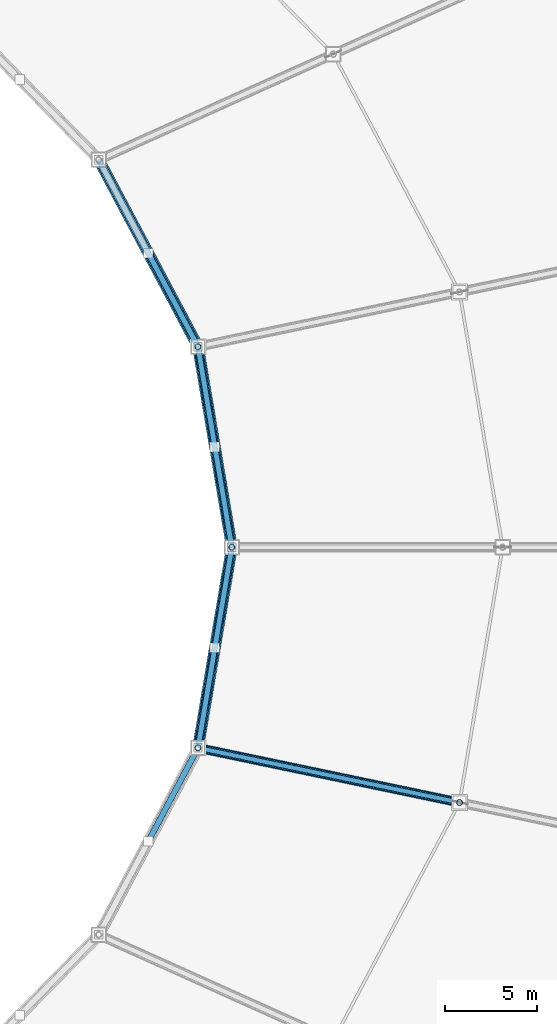
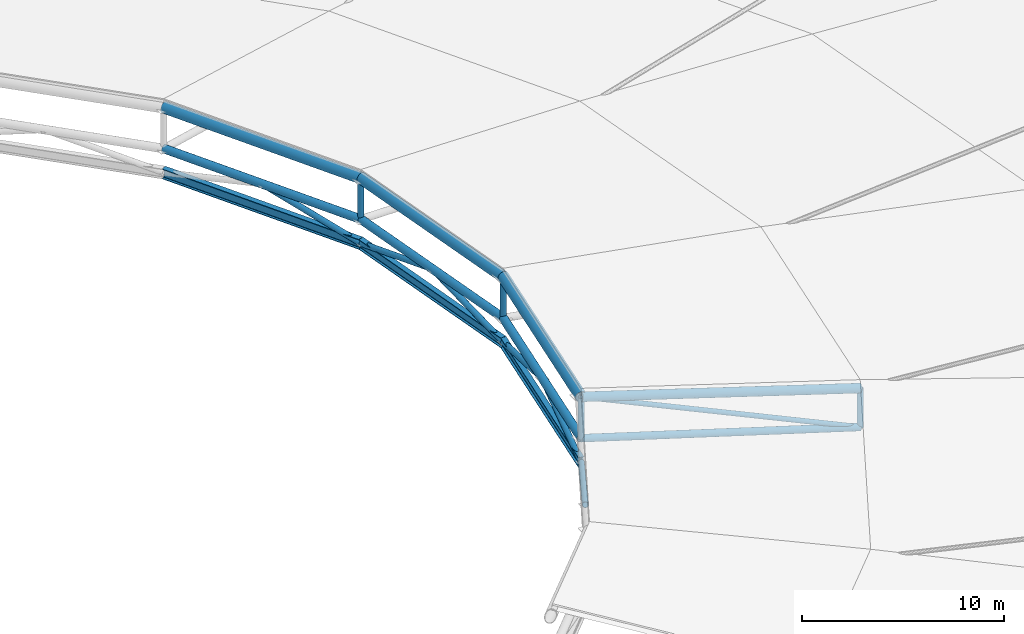
# One storey, part 49 of 115: 19 members, 3 beams.
"""IFC4 building model written with IfcOpenShell, lengths in metres."""

from ifc_helpers import new_model, si_unit, direction, frame, origin, origin_2d, place, context, subcontext, project, spatial, hollow_circle, i_section, extrude, material, material_profile, profile_set, type_object, element, save


model = new_model("IFC4")

# Units and contexts
model_context = context("Model", 3, precision=1e-05, world=origin(), true_north=direction((0.0, 1.0)))
body_context = subcontext(model_context, "Body", "Model", "MODEL_VIEW")
ifc_project = project(units=[si_unit("LENGTHUNIT", "METRE"), si_unit("AREAUNIT", "SQUARE_METRE"), si_unit("VOLUMEUNIT", "CUBIC_METRE"), si_unit("PLANEANGLEUNIT", "RADIAN"), si_unit("MASSUNIT", "GRAM", prefix="KILO")], contexts=[model_context])

# Site, building, storey
site_placement = place(None, origin())
site = spatial("IfcSite", under=ifc_project, at=site_placement, CompositionType="ELEMENT")
building_placement = place(site_placement, origin())
building = spatial("IfcBuilding", under=site, at=building_placement, Name="Zlatoyarsky Gate Stadium", CompositionType="ELEMENT")
storey_placement = place(building_placement, frame((0.0, 0.0, 31.800048828125)))
storey = spatial("IfcBuildingStorey", under=building, at=storey_placement, Name="RF", CompositionType="ELEMENT", Elevation=31.800048828125)

# Members
ifc_material = material(Name="Steel S355", Category="steel")
ifc_material_profile_1 = material_profile(ifc_material, hollow_circle(Radius=0.228515625, WallThickness=0.02490234375, at=origin_2d()), Name="CHS 457X25")
ifc_profile_set_1 = profile_set([ifc_material_profile_1], Name="Steel S355")
member_type_1 = type_object("IfcMemberType", Name="STEEL ARCH BOTTOM CHORD CHS 457X25", PredefinedType="CHORD", material=ifc_profile_set_1)
member_1_placement = place(storey_placement, frame((165.014892578125, 80.0, 6.449951171875), z_axis=(-0.166424784054, 0.986054152292, 0.0), x_axis=(-0.986054152292, -0.166424784054, 0.0)))
element("IfcMember", 1, at=member_1_placement, inside=storey, type_object=member_type_1, Name="Inner tension ring bottom chord 00", PredefinedType="CHORD", context=body_context, shape_type="SweptSolid", body=[
    extrude(hollow_circle(Radius=0.228515625, WallThickness=0.02490234375, at=origin_2d()), origin(), (0.0, 0.0, 1.0), 11.0595703125),
])
member_2_placement = place(storey_placement, frame((163.17431640625, 90.9052734375, 6.449951171875), z_axis=(-0.468977321353, 0.883210208306, 0.0), x_axis=(-0.883210208306, -0.468977321353, 0.0)))
element("IfcMember", 2, at=member_2_placement, inside=storey, type_object=member_type_1, Name="Inner tension ring bottom chord 01", PredefinedType="CHORD", context=body_context, shape_type="SweptSolid", body=[
    extrude(hollow_circle(Radius=0.228515625, WallThickness=0.02490234375, at=origin_2d()), origin(), (0.0, 0.0, 1.0), 11.505859375),
])
member_3_placement = place(storey_placement, frame((163.17431640625, 69.0947265625, 6.449951171875), z_axis=(0.166424784054, 0.986054152292, 0.0), x_axis=(-0.986054152292, 0.166424784054, 0.0)))
element("IfcMember", 3, at=member_3_placement, inside=storey, type_object=member_type_1, Name="Inner tension ring bottom chord 23", PredefinedType="CHORD", context=body_context, shape_type="SweptSolid", body=[
    extrude(hollow_circle(Radius=0.228515625, WallThickness=0.02490234375, at=origin_2d()), origin(), (0.0, 0.0, 1.0), 11.0595703125),
])
ifc_material_profile_2 = material_profile(ifc_material, hollow_circle(Radius=0.203125, WallThickness=0.02001953125, at=origin_2d()), Name="CHS 406.4X20")
ifc_profile_set_2 = profile_set([ifc_material_profile_2], Name="Steel S355")
member_type_2 = type_object("IfcMemberType", Name="STEEL ARCH INNER CHORD CHS 406.4X20", PredefinedType="CHORD", material=ifc_profile_set_2)
member_4_placement = place(storey_placement, frame((177.396728515625, 66.1220703125, 3.949951171875), z_axis=(-0.964672188905, 0.201628161911, 0.169569019215), x_axis=(-0.204590984252, -0.978847551544, 0.0)))
element("IfcMember", 4, at=member_4_placement, inside=storey, type_object=member_type_2, Name="Radial truss R24 bottom chord 3", PredefinedType="CHORD", context=body_context, shape_type="SweptSolid", body=[
    extrude(hollow_circle(Radius=0.203125, WallThickness=0.02001953125, at=origin_2d()), origin(), (0.0, 0.0, 1.0), 14.7431640625),
])
ifc_material_profile_3 = material_profile(ifc_material, hollow_circle(Radius=0.25390625, WallThickness=0.02490234375, at=origin_2d()), Name="CHS 508X25")
ifc_profile_set_3 = profile_set([ifc_material_profile_3], Name="Steel S355")
member_type_3 = type_object("IfcMemberType", Name="STEEL ARCH TOP CHORD CHS 508X25", PredefinedType="CHORD", material=ifc_profile_set_3)
member_5_placement = place(storey_placement, frame((177.396728515625, 66.1220703125, 6.300048828125), z_axis=(-0.962963687907, 0.201271064526, 0.179418210772), x_axis=(-0.204590984252, -0.978847551544, 0.0)))
element("IfcMember", 5, at=member_5_placement, inside=storey, type_object=member_type_3, Name="Radial truss R24 top chord 3", PredefinedType="CHORD", context=body_context, shape_type="SweptSolid", body=[
    extrude(hollow_circle(Radius=0.25390625, WallThickness=0.02490234375, at=origin_2d()), origin(), (0.0, 0.0, 1.0), 14.76953125),
])

# Beams
ifc_material_profile_4 = material_profile(ifc_material, i_section(OverallWidth=0.300048828125, OverallDepth=0.60009765625, WebThickness=0.015380859375, FlangeThickness=0.030029296875, FilletRadius=0.027099609375, at=origin_2d()), Name="HEB 600")
ifc_profile_set_4 = profile_set([ifc_material_profile_4], Name="Steel S355")
beam_type = type_object("IfcBeamType", Name="STEEL INNER CATWALK RING BEAM HEB 600", PredefinedType="USERDEFINED", material=ifc_profile_set_4)
beam_1_placement = place(storey_placement, frame((165.014892578125, 80.0, 5.0), z_axis=(-0.166424784054, 0.986054152292, 0.0), x_axis=(-0.986054152292, -0.166424784054, 0.0)))
element("IfcBeam", 6, at=beam_1_placement, inside=storey, type_object=beam_type, Name="Inner lighting catwalk ring beam 00", ObjectType="RING BEAM", PredefinedType="USERDEFINED", context=body_context, shape_type="SweptSolid", body=[
    extrude(i_section(OverallWidth=0.300048828125, OverallDepth=0.60009765625, WebThickness=0.015380859375, FlangeThickness=0.030029296875, FilletRadius=0.027099609375, at=origin_2d()), origin(), (0.0, 0.0, 1.0), 11.0595703125),
])
beam_2_placement = place(storey_placement, frame((163.17431640625, 90.9052734375, 5.0), z_axis=(-0.468977321353, 0.883210208306, 0.0), x_axis=(-0.883210208306, -0.468977321353, 0.0)))
element("IfcBeam", 7, at=beam_2_placement, inside=storey, type_object=beam_type, Name="Inner lighting catwalk ring beam 01", ObjectType="RING BEAM", PredefinedType="USERDEFINED", context=body_context, shape_type="SweptSolid", body=[
    extrude(i_section(OverallWidth=0.300048828125, OverallDepth=0.60009765625, WebThickness=0.015380859375, FlangeThickness=0.030029296875, FilletRadius=0.027099609375, at=origin_2d()), origin(), (0.0, 0.0, 1.0), 11.505859375),
])
beam_3_placement = place(storey_placement, frame((163.17431640625, 69.0947265625, 5.0), z_axis=(0.166424784054, 0.986054152292, 0.0), x_axis=(-0.986054152292, 0.166424784054, 0.0)))
element("IfcBeam", 8, at=beam_3_placement, inside=storey, type_object=beam_type, Name="Inner lighting catwalk ring beam 23", ObjectType="RING BEAM", PredefinedType="USERDEFINED", context=body_context, shape_type="SweptSolid", body=[
    extrude(i_section(OverallWidth=0.300048828125, OverallDepth=0.60009765625, WebThickness=0.015380859375, FlangeThickness=0.030029296875, FilletRadius=0.027099609375, at=origin_2d()), origin(), (0.0, 0.0, 1.0), 11.0595703125),
])

# Members
ifc_material_profile_5 = material_profile(ifc_material, hollow_circle(Radius=0.136474609375, WallThickness=0.01611328125, at=origin_2d()), Name="CHS 273X16")
ifc_profile_set_5 = profile_set([ifc_material_profile_5], Name="Steel S355")
member_type_4 = type_object("IfcMemberType", Name="STEEL ROOF TRUSS DIAGONAL CHS 273X16", PredefinedType="BRACE", material=ifc_profile_set_5)
member_6_placement = place(storey_placement, frame((177.396728515625, 66.1220703125, 3.949951171875), z_axis=(-0.925577253601, 0.193456847307, 0.325393908742), x_axis=(-0.204590984252, -0.978847551544, 0.0)))
element("IfcMember", 9, at=member_6_placement, inside=storey, type_object=member_type_4, Name="Radial truss R24 web diagonal 3", PredefinedType="BRACE", context=body_context, shape_type="SweptSolid", body=[
    extrude(hollow_circle(Radius=0.136474609375, WallThickness=0.01611328125, at=origin_2d()), origin(), (0.0, 0.0, 1.0), 15.365966796875),
])
ifc_material_profile_6 = material_profile(ifc_material, hollow_circle(Radius=0.304931640625, WallThickness=0.030029296875, at=origin_2d()), Name="CHS 610X30")
ifc_profile_set_6 = profile_set([ifc_material_profile_6], Name="Steel S355")
member_type_5 = type_object("IfcMemberType", Name="STEEL TENSION RING CHORD CHS 610X30", PredefinedType="CHORD", material=ifc_profile_set_6)
member_7_placement = place(storey_placement, frame((165.014892578125, 80.0, 8.949951171875), z_axis=(-0.166424784054, 0.986054152292, 0.0), x_axis=(-0.986054152292, -0.166424784054, 0.0)))
element("IfcMember", 10, at=member_7_placement, inside=storey, type_object=member_type_5, Name="Inner tension ring top chord 00", PredefinedType="CHORD", context=body_context, shape_type="SweptSolid", body=[
    extrude(hollow_circle(Radius=0.304931640625, WallThickness=0.030029296875, at=origin_2d()), origin(), (0.0, 0.0, 1.0), 11.0595703125),
])
member_8_placement = place(storey_placement, frame((163.17431640625, 90.9052734375, 8.949951171875), z_axis=(-0.468977321353, 0.883210208306, 0.0), x_axis=(-0.883210208306, -0.468977321353, 0.0)))
element("IfcMember", 11, at=member_8_placement, inside=storey, type_object=member_type_5, Name="Inner tension ring top chord 01", PredefinedType="CHORD", context=body_context, shape_type="SweptSolid", body=[
    extrude(hollow_circle(Radius=0.304931640625, WallThickness=0.030029296875, at=origin_2d()), origin(), (0.0, 0.0, 1.0), 11.505859375),
])
member_9_placement = place(storey_placement, frame((163.17431640625, 69.0947265625, 8.949951171875), z_axis=(0.166424784054, 0.986054152292, 0.0), x_axis=(-0.986054152292, 0.166424784054, 0.0)))
element("IfcMember", 12, at=member_9_placement, inside=storey, type_object=member_type_5, Name="Inner tension ring top chord 23", PredefinedType="CHORD", context=body_context, shape_type="SweptSolid", body=[
    extrude(hollow_circle(Radius=0.304931640625, WallThickness=0.030029296875, at=origin_2d()), origin(), (0.0, 0.0, 1.0), 11.0595703125),
])
ifc_material_profile_7 = material_profile(ifc_material, hollow_circle(Radius=0.161865234375, WallThickness=0.01611328125, at=origin_2d()), Name="CHS 323.9X16")
ifc_profile_set_7 = profile_set([ifc_material_profile_7], Name="Steel S355")
member_type_6 = type_object("IfcMemberType", Name="STEEL TRUSS WEB STRUT CHS 323.9X16", PredefinedType="STRUT", material=ifc_profile_set_7)
member_10_placement = place(storey_placement, frame((165.014892578125, 80.0, 6.449951171875), z_axis=(0.0, 0.0, 1.0), x_axis=(1.0, 0.0, 0.0)))
element("IfcMember", 13, at=member_10_placement, inside=storey, type_object=member_type_6, Name="Radial truss R01 web strut 3", PredefinedType="STRUT", context=body_context, shape_type="SweptSolid", body=[
    extrude(hollow_circle(Radius=0.161865234375, WallThickness=0.01611328125, at=origin_2d()), origin(), (0.0, 0.0, 1.0), 2.5),
])
member_11_placement = place(storey_placement, frame((165.014892578125, 80.0, 5.0), z_axis=(-0.161003503104, 0.953806959766, 0.253633900513), x_axis=(-0.98605052945, -0.166446247695, 0.0)))
element("IfcMember", 14, at=member_11_placement, inside=storey, type_object=member_type_6, Name="Catwalk V-hanger strut 00A", PredefinedType="STRUT", context=body_context, shape_type="SweptSolid", body=[
    extrude(hollow_circle(Radius=0.161865234375, WallThickness=0.01611328125, at=origin_2d()), origin(), (0.0, 0.0, 1.0), 5.716796875),
])
member_12_placement = place(storey_placement, frame((163.17431640625, 90.9052734375, 5.0), z_axis=(0.160961903219, -0.953813517242, 0.25363564426), x_axis=(0.986057774694, 0.166403320176, 0.0)))
element("IfcMember", 15, at=member_12_placement, inside=storey, type_object=member_type_6, Name="Catwalk V-hanger strut 00B", PredefinedType="STRUT", context=body_context, shape_type="SweptSolid", body=[
    extrude(hollow_circle(Radius=0.161865234375, WallThickness=0.01611328125, at=origin_2d()), origin(), (0.0, 0.0, 1.0), 5.716552734375),
])
member_13_placement = place(storey_placement, frame((163.17431640625, 90.9052734375, 6.449951171875), z_axis=(0.0, 0.0, 1.0), x_axis=(1.0, 0.0, 0.0)))
element("IfcMember", 16, at=member_13_placement, inside=storey, type_object=member_type_6, Name="Radial truss R02 web strut 3", PredefinedType="STRUT", context=body_context, shape_type="SweptSolid", body=[
    extrude(hollow_circle(Radius=0.161865234375, WallThickness=0.01611328125, at=origin_2d()), origin(), (0.0, 0.0, 1.0), 2.5),
])
for number, where, z_axis, x_axis, name in (
    (17, (163.17431640625, 90.9052734375, 5.0), (-0.454756078435, 0.856427789738, 0.244393842171), (-0.883210208306, -0.468977321353, 0.0), "Catwalk V-hanger strut 01A"),
    (18, (163.17431640625, 69.0947265625, 5.0), (-0.454756078435, -0.856427789738, 0.244393842171), (0.883210208306, -0.468977321353, 0.0), "Catwalk V-hanger strut 22B"),
):
    element("IfcMember", number, at=place(storey_placement, frame(where, z_axis=z_axis, x_axis=x_axis)), inside=storey, type_object=member_type_6, Name=name, PredefinedType="STRUT", context=body_context, shape_type="SweptSolid", body=[
        extrude(hollow_circle(Radius=0.161865234375, WallThickness=0.01611328125, at=origin_2d()), origin(), (0.0, 0.0, 1.0), 5.932861328125),
    ])
member_14_placement = place(storey_placement, frame((177.396728515625, 66.1220703125, 3.949951171875), z_axis=(0.0, 0.0, 1.0), x_axis=(1.0, 0.0, 0.0)))
element("IfcMember", 19, at=member_14_placement, inside=storey, type_object=member_type_6, Name="Radial truss R24 web strut 2", PredefinedType="STRUT", context=body_context, shape_type="SweptSolid", body=[
    extrude(hollow_circle(Radius=0.161865234375, WallThickness=0.01611328125, at=origin_2d()), origin(), (0.0, 0.0, 1.0), 2.35009765625),
])
member_15_placement = place(storey_placement, frame((163.17431640625, 69.0947265625, 6.449951171875), z_axis=(0.0, 0.0, 1.0), x_axis=(1.0, 0.0, 0.0)))
element("IfcMember", 20, at=member_15_placement, inside=storey, type_object=member_type_6, Name="Radial truss R24 web strut 3", PredefinedType="STRUT", context=body_context, shape_type="SweptSolid", body=[
    extrude(hollow_circle(Radius=0.161865234375, WallThickness=0.01611328125, at=origin_2d()), origin(), (0.0, 0.0, 1.0), 2.5),
])
member_16_placement = place(storey_placement, frame((163.17431640625, 69.0947265625, 5.0), z_axis=(0.160961903219, 0.953813517242, 0.25363564426), x_axis=(-0.986057774694, 0.166403320176, 0.0)))
element("IfcMember", 21, at=member_16_placement, inside=storey, type_object=member_type_6, Name="Catwalk V-hanger strut 23A", PredefinedType="STRUT", context=body_context, shape_type="SweptSolid", body=[
    extrude(hollow_circle(Radius=0.161865234375, WallThickness=0.01611328125, at=origin_2d()), origin(), (0.0, 0.0, 1.0), 5.716552734375),
])
member_17_placement = place(storey_placement, frame((165.014892578125, 80.0, 5.0), z_axis=(-0.161003503104, -0.953806959766, 0.253633900513), x_axis=(0.98605052945, -0.166446247695, 0.0)))
element("IfcMember", 22, at=member_17_placement, inside=storey, type_object=member_type_6, Name="Catwalk V-hanger strut 23B", PredefinedType="STRUT", context=body_context, shape_type="SweptSolid", body=[
    extrude(hollow_circle(Radius=0.161865234375, WallThickness=0.01611328125, at=origin_2d()), origin(), (0.0, 0.0, 1.0), 5.716796875),
])

save(model, "model.ifc")
